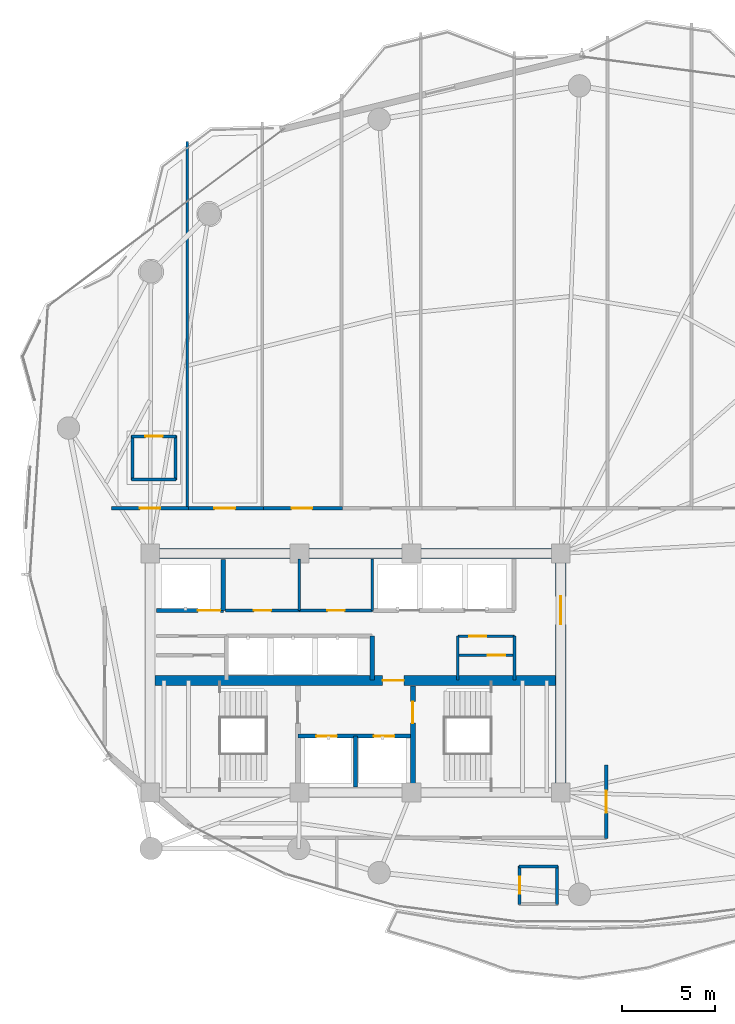
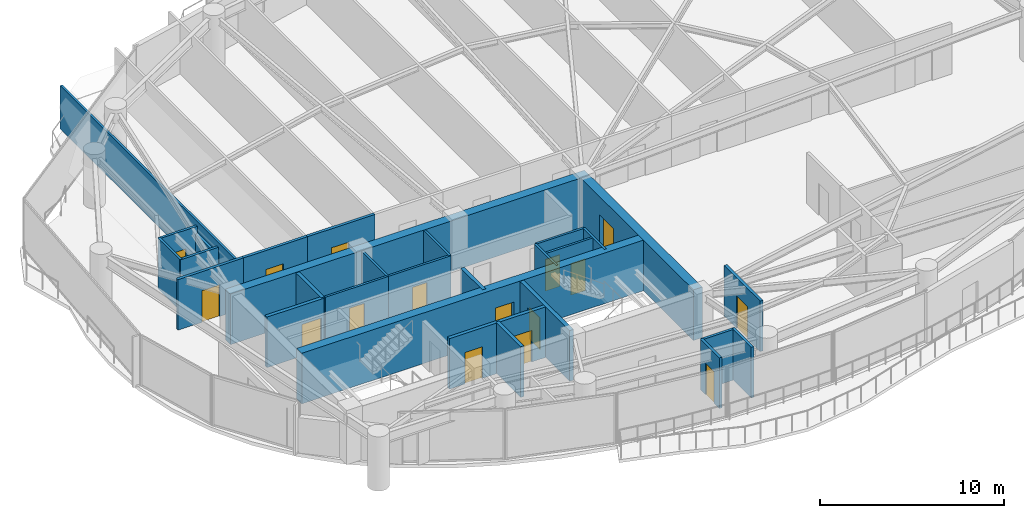
# One storey, part 25 of 30: 29 walls, 16 doors, 16 openings.
"""IFC4 building model written with IfcOpenShell, lengths in metres."""

from ifc_helpers import new_model, si_unit, direction, frame, frame_2d, origin, place, context, subcontext, project, spatial, rectangle, extrude, material, layer, layer_set, type_object, element, fill, save


model = new_model("IFC4")

# Units and contexts
model_context = context("Model", 3, precision=1e-05, world=origin(), true_north=direction((0.0, 1.0)))
body_context = subcontext(model_context, "Body", "Model", "MODEL_VIEW")
ifc_project = project(units=[si_unit("LENGTHUNIT", "METRE"), si_unit("AREAUNIT", "SQUARE_METRE"), si_unit("VOLUMEUNIT", "CUBIC_METRE"), si_unit("PLANEANGLEUNIT", "RADIAN"), si_unit("MASSUNIT", "GRAM", prefix="KILO")], contexts=[model_context])

# Site, building, storey
site_placement = place(None, origin())
site = spatial("IfcSite", under=ifc_project, at=site_placement, CompositionType="ELEMENT")
building_placement = place(site_placement, origin())
building = spatial("IfcBuilding", under=site, at=building_placement, Name="Kazevale Care Tower and Concert Hall", CompositionType="ELEMENT")
storey_placement = place(building_placement, frame((0.0, 0.0, 113.39990234375)))
storey = spatial("IfcBuildingStorey", under=building, at=storey_placement, Name="L29", CompositionType="ELEMENT", Elevation=113.39990234375)

# Wall, opening, door
ifc_material_1 = material(Name="Acoustic Gypsum on Steel Stud", Category="steel")
ifc_layer_1 = layer(ifc_material_1, 0.139892578125)
ifc_layer_set_1 = layer_set([ifc_layer_1], Name="Acoustic Gypsum on Steel Stud")
wall_type_1 = type_object("IfcWallType", Name="Acoustic Care & Suite Partition 140", PredefinedType="PARTITIONING", material=ifc_layer_set_1)
wall_1_placement = place(storey_placement, frame((26.050048828125, 33.35009765625, 0.0), z_axis=(0.0, 0.0, 1.0), x_axis=(1.0, 0.0, 0.0)))
wall_1 = element("IfcWall", 1, at=wall_1_placement, inside=storey, type_object=wall_type_1, Name="wall:L29:c_rpl1_s", PredefinedType="PARTITIONING", context=body_context, shape_type="SweptSolid", body=[
    extrude(rectangle(XDim=3.949951171875, YDim=0.139892578125, at=frame_2d((1.97509765625, 0.0))), origin(), (0.0, 0.0, 1.0), 3.360107421875),
])
opening_1_placement = place(wall_1_placement, frame((1.514892578125, 0.0, 0.0)))
opening_1 = element("IfcOpeningElement", 2, at=opening_1_placement, cuts=wall_1, Name="Opening ID-900", PredefinedType="OPENING", context=body_context, shape_type="SweptSolid", body=[
    extrude(rectangle(XDim=0.919921875, YDim=2.10009765625, at=frame_2d((0.4599609375, 1.050048828125))), frame((0.0, 0.079833984375, 0.0), z_axis=(0.0, -1.0, 0.0), x_axis=(1.0, 0.0, 0.0)), (0.0, 0.0, 1.0), 0.159912109375),
])
ifc_material_2 = material(Name="Oak Timber Fire Leaf", Category="wood")
door_type_1 = type_object("IfcDoorType", Name="Bathroom & Service Door 920x2100", OperationType="NOTDEFINED", PredefinedType="DOOR", material=ifc_material_2)
door_1_placement = place(opening_1_placement, origin())
door_1 = element("IfcDoor", 3, at=door_1_placement, inside=storey, type_object=door_type_1, Name="door:L29:d_rpl1", OperationType="SINGLE_SWING_LEFT", OverallHeight=2.10009765625, OverallWidth=0.919921875, PredefinedType="DOOR", context=body_context, shape_type="SweptSolid", body=[
    extrude(rectangle(XDim=0.919921875, YDim=2.10009765625, at=frame_2d((0.4599609375, 1.050048828125))), frame((0.0, 0.02490234375, 0.0), z_axis=(0.0, -1.0, 0.0), x_axis=(1.0, 0.0, 0.0)), (0.0, 0.0, 1.0), 0.050048828125),
])
fill(opening_1, door_1)

wall_2_placement = place(storey_placement, frame((30.0, 33.35009765625, 0.0), z_axis=(0.0, 0.0, 1.0), x_axis=(1.0, 0.0, 0.0)))
wall_2 = element("IfcWall", 4, at=wall_2_placement, inside=storey, type_object=wall_type_1, Name="wall:L29:c_rpl2_s", PredefinedType="PARTITIONING", context=body_context, shape_type="SweptSolid", body=[
    extrude(rectangle(XDim=3.919921875, YDim=0.139892578125, at=frame_2d((1.9599609375, 0.0))), origin(), (0.0, 0.0, 1.0), 3.360107421875),
])
opening_2_placement = place(wall_2_placement, frame((1.5, 0.0, 0.0)))
opening_2 = element("IfcOpeningElement", 5, at=opening_2_placement, cuts=wall_2, Name="Opening ID-900", PredefinedType="OPENING", context=body_context, shape_type="SweptSolid", body=[
    extrude(rectangle(XDim=0.919921875, YDim=2.10009765625, at=frame_2d((0.4599609375, 1.050048828125))), frame((0.0, 0.079833984375, 0.0), z_axis=(0.0, -1.0, 0.0), x_axis=(1.0, 0.0, 0.0)), (0.0, 0.0, 1.0), 0.159912109375),
])
door_2_placement = place(opening_2_placement, origin())
door_2 = element("IfcDoor", 6, at=door_2_placement, inside=storey, type_object=door_type_1, Name="door:L29:d_rpl2", OperationType="SINGLE_SWING_RIGHT", OverallHeight=2.10009765625, OverallWidth=0.919921875, PredefinedType="DOOR", context=body_context, shape_type="SweptSolid", body=[
    extrude(rectangle(XDim=0.919921875, YDim=2.10009765625, at=frame_2d((0.4599609375, 1.050048828125))), frame((0.0, 0.02490234375, 0.0), z_axis=(0.0, -1.0, 0.0), x_axis=(1.0, 0.0, 0.0)), (0.0, 0.0, 1.0), 0.050048828125),
])
fill(opening_2, door_2)

# Walls
for number, where, z_axis, x_axis, name in (
    (7, (30.0, 33.35009765625, 0.0), (0.0, 0.0, 1.0), (0.0, 1.0, 0.0), "wall:L29:c_rpl_m"),
    (8, (33.89990234375, 33.35009765625, 0.0), (0.0, 0.0, 1.0), (0.0, 1.0, 0.0), "wall:L29:c_rpl_e"),
):
    element("IfcWall", number, at=place(storey_placement, frame(where, z_axis=z_axis, x_axis=x_axis)), inside=storey, type_object=wall_type_1, Name=name, PredefinedType="PARTITIONING", context=body_context, shape_type="SweptSolid", body=[
        extrude(rectangle(XDim=2.75, YDim=0.139892578125, at=frame_2d((1.375, 0.0))), origin(), (0.0, 0.0, 1.0), 3.360107421875),
    ])
for number, where, z_axis, x_axis, name in (
    (9, (38.47998046875, 29.6201171875, 0.0), (0.0, 0.0, 1.0), (0.0, 1.0, 0.0), "wall:L29:kc_ew"),
    (10, (41.52001953125, 29.6201171875, 0.0), (0.0, 0.0, 1.0), (0.0, 1.0, 0.0), "wall:L29:kc_ee"),
):
    element("IfcWall", number, at=place(storey_placement, frame(where, z_axis=z_axis, x_axis=x_axis)), inside=storey, type_object=wall_type_1, Name=name, PredefinedType="PARTITIONING", context=body_context, shape_type="SweptSolid", body=[
        extrude(rectangle(XDim=2.35986328125, YDim=0.139892578125, at=frame_2d((1.179931640625, 0.0))), origin(), (0.0, 0.0, 1.0), 3.360107421875),
    ])

# Wall, opening, door
wall_3_placement = place(storey_placement, frame((38.47998046875, 30.949951171875, 0.0), z_axis=(0.0, 0.0, 1.0), x_axis=(1.0, 0.0, 0.0)))
wall_3 = element("IfcWall", 11, at=wall_3_placement, inside=storey, type_object=wall_type_1, Name="wall:L29:kc_em", PredefinedType="PARTITIONING", context=body_context, shape_type="SweptSolid", body=[
    extrude(rectangle(XDim=3.0400390625, YDim=0.139892578125, at=frame_2d((1.52001953125, 0.0))), origin(), (0.0, 0.0, 1.0), 3.360107421875),
])
opening_3_placement = place(wall_3_placement, frame((1.616943359375, 0.0, 0.0)))
opening_3 = element("IfcOpeningElement", 12, at=opening_3_placement, cuts=wall_3, Name="Opening ID-900", PredefinedType="OPENING", context=body_context, shape_type="SweptSolid", body=[
    extrude(rectangle(XDim=0.919921875, YDim=2.10009765625, at=frame_2d((0.4599609375, 1.050048828125))), frame((0.0, 0.079833984375, 0.0), z_axis=(0.0, -1.0, 0.0), x_axis=(1.0, 0.0, 0.0)), (0.0, 0.0, 1.0), 0.159912109375),
])
door_3_placement = place(opening_3_placement, origin())
door_3 = element("IfcDoor", 13, at=door_3_placement, inside=storey, type_object=door_type_1, Name="door:L29:d_kceb", OperationType="SINGLE_SWING_RIGHT", OverallHeight=2.10009765625, OverallWidth=0.919921875, PredefinedType="DOOR", context=body_context, shape_type="SweptSolid", body=[
    extrude(rectangle(XDim=0.919921875, YDim=2.10009765625, at=frame_2d((0.4599609375, 1.050048828125))), frame((0.0, 0.02490234375, 0.0), z_axis=(0.0, -1.0, 0.0), x_axis=(1.0, 0.0, 0.0)), (0.0, 0.0, 1.0), 0.050048828125),
])
fill(opening_3, door_3)

wall_4_placement = place(storey_placement, frame((38.47998046875, 31.97998046875, 0.0), z_axis=(0.0, 0.0, 1.0), x_axis=(1.0, 0.0, 0.0)))
wall_4 = element("IfcWall", 14, at=wall_4_placement, inside=storey, type_object=wall_type_1, Name="wall:L29:kc_en", PredefinedType="PARTITIONING", context=body_context, shape_type="SweptSolid", body=[
    extrude(rectangle(XDim=3.0400390625, YDim=0.139892578125, at=frame_2d((1.52001953125, 0.0))), origin(), (0.0, 0.0, 1.0), 3.360107421875),
])
opening_4_placement = place(wall_4_placement, frame((0.614013671875, 0.0, 0.0)))
opening_4 = element("IfcOpeningElement", 15, at=opening_4_placement, cuts=wall_4, Name="Opening ID-900", PredefinedType="OPENING", context=body_context, shape_type="SweptSolid", body=[
    extrude(rectangle(XDim=0.919921875, YDim=2.10009765625, at=frame_2d((0.4599609375, 1.050048828125))), frame((0.0, 0.079833984375, 0.0), z_axis=(0.0, -1.0, 0.0), x_axis=(1.0, 0.0, 0.0)), (0.0, 0.0, 1.0), 0.159912109375),
])
door_4_placement = place(opening_4_placement, origin())
door_4 = element("IfcDoor", 16, at=door_4_placement, inside=storey, type_object=door_type_1, Name="door:L29:d_kcet", OperationType="SINGLE_SWING_LEFT", OverallHeight=2.10009765625, OverallWidth=0.919921875, PredefinedType="DOOR", context=body_context, shape_type="SweptSolid", body=[
    extrude(rectangle(XDim=0.919921875, YDim=2.10009765625, at=frame_2d((0.4599609375, 1.050048828125))), frame((0.0, 0.02490234375, 0.0), z_axis=(0.0, -1.0, 0.0), x_axis=(1.0, 0.0, 0.0)), (0.0, 0.0, 1.0), 0.050048828125),
])
fill(opening_4, door_4)

# Walls
wall_5_placement = place(storey_placement, frame((24.0, 58.4599609375, 0.0), z_axis=(0.0, 0.0, 1.0), x_axis=(0.0, -1.0, 0.0)))
element("IfcWall", 17, at=wall_5_placement, inside=storey, type_object=wall_type_1, Name="wall:L29:auto_020", PredefinedType="PARTITIONING", context=body_context, shape_type="SweptSolid", body=[
    extrude(rectangle(XDim=19.6650390625, YDim=0.139892578125, at=frame_2d((9.83251953125, 0.0))), origin(), (0.0, 0.0, 1.0), 2.89013671875),
])
ifc_material_3 = material(Name="Concrete C60", Category="concrete")
ifc_layer_2 = layer(ifc_material_3, 0.550048828125)
ifc_layer_set_2 = layer_set([ifc_layer_2], Name="Concrete C60")
wall_type_2 = type_object("IfcWallType", Name="Core Shear Wall 550 C60", PredefinedType="SHEAR", material=ifc_layer_set_2)
wall_6_placement = place(storey_placement, frame((21.72509765625, 36.39990234375, 0.0), z_axis=(0.0, 0.0, 1.0), x_axis=(1.0, 0.0, 0.0)))
element("IfcWall", 18, at=wall_6_placement, inside=storey, type_object=wall_type_2, Name="wall:L29:core:N", PredefinedType="SHEAR", context=body_context, shape_type="SweptSolid", body=[
    extrude(rectangle(XDim=22.5498046875, YDim=0.550048828125, at=frame_2d((11.27490234375, 0.0))), origin(), (0.0, 0.0, 1.0), 3.360107421875),
])

# Wall, opening, door
wall_7_placement = place(storey_placement, frame((44.0, 23.875, 0.0), z_axis=(0.0, 0.0, 1.0), x_axis=(0.0, 1.0, 0.0)))
wall_7 = element("IfcWall", 19, at=wall_7_placement, inside=storey, type_object=wall_type_2, Name="wall:L29:core:E", PredefinedType="SHEAR", context=body_context, shape_type="SweptSolid", body=[
    extrude(rectangle(XDim=12.25, YDim=0.550048828125, at=frame_2d((6.125, 0.0))), origin(), (0.0, 0.0, 1.0), 3.360107421875),
])
opening_5_placement = place(wall_7_placement, frame((8.72509765625, 0.0, 0.0)))
opening_5 = element("IfcOpeningElement", 20, at=opening_5_placement, cuts=wall_7, Name="Opening FD-60D", PredefinedType="OPENING", context=body_context, shape_type="SweptSolid", body=[
    extrude(rectangle(XDim=1.5, YDim=2.14990234375, at=frame_2d((0.75, 1.074951171875))), frame((0.0, 0.284912109375, 0.0), z_axis=(0.0, -1.0, 0.0), x_axis=(1.0, 0.0, 0.0)), (0.0, 0.0, 1.0), 0.570068359375),
])
door_type_2 = type_object("IfcDoorType", Name="Double Lobby & Auditorium Fire Door 1500x2150", OperationType="NOTDEFINED", PredefinedType="DOOR", material=ifc_material_2)
door_5_placement = place(opening_5_placement, origin())
door_5 = element("IfcDoor", 21, at=door_5_placement, inside=storey, type_object=door_type_2, Name="door:L29:core_east_out", OperationType="DOUBLE_DOOR_SINGLE_SWING", OverallHeight=2.14990234375, OverallWidth=1.5, PredefinedType="DOOR", context=body_context, shape_type="SweptSolid", body=[
    extrude(rectangle(XDim=1.5, YDim=2.14990234375, at=frame_2d((0.75, 1.074951171875))), frame((0.0, 0.02490234375, 0.0), z_axis=(0.0, -1.0, 0.0), x_axis=(1.0, 0.0, 0.0)), (0.0, 0.0, 1.0), 0.050048828125),
])
fill(opening_5, door_5)

wall_8_placement = place(storey_placement, frame((22.27490234375, 29.60009765625, 0.0), z_axis=(0.0, 0.0, 1.0), x_axis=(1.0, 0.0, 0.0)))
wall_8 = element("IfcWall", 22, at=wall_8_placement, inside=storey, type_object=wall_type_2, Name="wall:L29:core:M", PredefinedType="SHEAR", context=body_context, shape_type="SweptSolid", body=[
    extrude(rectangle(XDim=21.4501953125, YDim=0.550048828125, at=frame_2d((10.72509765625, 0.0))), origin(), (0.0, 0.0, 1.0), 3.360107421875),
])
opening_6_placement = place(wall_8_placement, frame((12.175048828125, 0.0, 0.0)))
opening_6 = element("IfcOpeningElement", 23, at=opening_6_placement, cuts=wall_8, Name="Opening FD-90", PredefinedType="OPENING", context=body_context, shape_type="SweptSolid", body=[
    extrude(rectangle(XDim=1.14990234375, YDim=2.10009765625, at=frame_2d((0.574951171875, 1.050048828125))), frame((0.0, 0.284912109375, 0.0), z_axis=(0.0, -1.0, 0.0), x_axis=(1.0, 0.0, 0.0)), (0.0, 0.0, 1.0), 0.570068359375),
])
ifc_material_4 = material(Name="Steel ASTM A572 Gr 50", Category="steel")
door_type_3 = type_object("IfcDoorType", Name="Pressurized Stair & Lobby Fire Door 1150x2100", OperationType="NOTDEFINED", PredefinedType="DOOR", material=ifc_material_4)
door_6_placement = place(opening_6_placement, origin())
door_6 = element("IfcDoor", 24, at=door_6_placement, inside=storey, type_object=door_type_3, Name="door:L29:ff_to_pax", OperationType="SINGLE_SWING_LEFT", OverallHeight=2.10009765625, OverallWidth=1.14990234375, PredefinedType="DOOR", context=body_context, shape_type="SweptSolid", body=[
    extrude(rectangle(XDim=1.14990234375, YDim=2.10009765625, at=frame_2d((0.574951171875, 1.050048828125))), frame((0.0, 0.02490234375, 0.0), z_axis=(0.0, -1.0, 0.0), x_axis=(1.0, 0.0, 0.0)), (0.0, 0.0, 1.0), 0.050048828125),
])
fill(opening_6, door_6)

# Wall, openings, doors
ifc_material_5 = material(Name="Concrete C40", Category="concrete")
ifc_layer_3 = layer(ifc_material_5, 0.219970703125)
ifc_layer_set_3 = layer_set([ifc_layer_3], Name="Concrete C40")
wall_type_3 = type_object("IfcWallType", Name="Elevator Hoistway Shaft Wall 220", PredefinedType="SOLIDWALL", material=ifc_layer_set_3)
wall_9_placement = place(storey_placement, frame((29.919921875, 26.6201171875, 0.0), z_axis=(0.0, 0.0, 1.0), x_axis=(1.0, 0.0, 0.0)))
wall_9 = element("IfcWall", 25, at=wall_9_placement, inside=storey, type_object=wall_type_3, Name="wall:L29:c_ffl_n", PredefinedType="SOLIDWALL", context=body_context, shape_type="SweptSolid", body=[
    extrude(rectangle(XDim=6.16015625, YDim=0.219970703125, at=frame_2d((3.080078125, 0.0))), origin(), (0.0, 0.0, 1.0), 3.360107421875),
])
opening_7_placement = place(wall_9_placement, frame((0.989990234375, 0.0, 0.0)))
opening_7 = element("IfcOpeningElement", 26, at=opening_7_placement, cuts=wall_9, Name="Opening LD-FF", PredefinedType="OPENING", context=body_context, shape_type="SweptSolid", body=[
    extrude(rectangle(XDim=1.10009765625, YDim=2.10009765625, at=frame_2d((0.550048828125, 1.050048828125))), frame((0.0, 0.119873046875, 0.0), z_axis=(0.0, -1.0, 0.0), x_axis=(1.0, 0.0, 0.0)), (0.0, 0.0, 1.0), 0.239990234375),
])
opening_8_placement = place(wall_9_placement, frame((4.070068359375, 0.0, 0.0)))
opening_8 = element("IfcOpeningElement", 27, at=opening_8_placement, cuts=wall_9, Name="Opening LD-FF", PredefinedType="OPENING", context=body_context, shape_type="SweptSolid", body=[
    extrude(rectangle(XDim=1.10009765625, YDim=2.10009765625, at=frame_2d((0.550048828125, 1.050048828125))), frame((0.0, 0.119873046875, 0.0), z_axis=(0.0, -1.0, 0.0), x_axis=(1.0, 0.0, 0.0)), (0.0, 0.0, 1.0), 0.239990234375),
])
ifc_material_6 = material(Name="Stainless Steel 316", Category="steel")
door_type_4 = type_object("IfcDoorType", Name="Emergency Lift Sliding Landing Door 1100x2100", OperationType="NOTDEFINED", PredefinedType="DOOR", material=ifc_material_6)
door_7_placement = place(opening_7_placement, origin())
door_7 = element("IfcDoor", 28, at=door_7_placement, inside=storey, type_object=door_type_4, Name="door:L29:ld_ffl1", OperationType="SLIDING_TO_LEFT", OverallHeight=2.10009765625, OverallWidth=1.10009765625, PredefinedType="DOOR", context=body_context, shape_type="SweptSolid", body=[
    extrude(rectangle(XDim=1.10009765625, YDim=2.10009765625, at=frame_2d((0.550048828125, 1.050048828125))), frame((0.0, 0.02490234375, 0.0), z_axis=(0.0, -1.0, 0.0), x_axis=(1.0, 0.0, 0.0)), (0.0, 0.0, 1.0), 0.050048828125),
])
fill(opening_7, door_7)
door_8_placement = place(opening_8_placement, origin())
door_8 = element("IfcDoor", 29, at=door_8_placement, inside=storey, type_object=door_type_4, Name="door:L29:ld_ffl2", OperationType="SLIDING_TO_RIGHT", OverallHeight=2.10009765625, OverallWidth=1.10009765625, PredefinedType="DOOR", context=body_context, shape_type="SweptSolid", body=[
    extrude(rectangle(XDim=1.10009765625, YDim=2.10009765625, at=frame_2d((0.550048828125, 1.050048828125))), frame((0.0, 0.02490234375, 0.0), z_axis=(0.0, -1.0, 0.0), x_axis=(1.0, 0.0, 0.0)), (0.0, 0.0, 1.0), 0.050048828125),
])
fill(opening_8, door_8)

# Walls
wall_10_placement = place(storey_placement, frame((33.0, 23.89990234375, 0.0), z_axis=(0.0, 0.0, 1.0), x_axis=(0.0, 1.0, 0.0)))
element("IfcWall", 30, at=wall_10_placement, inside=storey, type_object=wall_type_3, Name="wall:L29:c_ffl_m", PredefinedType="SOLIDWALL", context=body_context, shape_type="SweptSolid", body=[
    extrude(rectangle(XDim=2.72021484375, YDim=0.219970703125, at=frame_2d((1.360107421875, 0.0))), origin(), (0.0, 0.0, 1.0), 3.360107421875),
])
wall_11_placement = place(storey_placement, frame((25.919921875, 33.35009765625, 0.0), z_axis=(0.0, 0.0, 1.0), x_axis=(0.0, 1.0, 0.0)))
element("IfcWall", 31, at=wall_11_placement, inside=storey, type_object=wall_type_3, Name="wall:L29:c_svl_e", PredefinedType="SOLIDWALL", context=body_context, shape_type="SweptSolid", body=[
    extrude(rectangle(XDim=2.72998046875, YDim=0.219970703125, at=frame_2d((1.364990234375, 0.0))), origin(), (0.0, 0.0, 1.0), 3.360107421875),
])

# Wall, opening, door
wall_12_placement = place(storey_placement, frame((22.35009765625, 33.35009765625, 0.0), z_axis=(0.0, 0.0, 1.0), x_axis=(1.0, 0.0, 0.0)))
wall_12 = element("IfcWall", 32, at=wall_12_placement, inside=storey, type_object=wall_type_3, Name="wall:L29:c_svl_s", PredefinedType="SOLIDWALL", context=body_context, shape_type="SweptSolid", body=[
    extrude(rectangle(XDim=3.56982421875, YDim=0.219970703125, at=frame_2d((1.784912109375, 0.0))), origin(), (0.0, 0.0, 1.0), 3.360107421875),
])
opening_9_placement = place(wall_12_placement, frame((2.212890625, 0.0, 0.0)))
opening_9 = element("IfcOpeningElement", 33, at=opening_9_placement, cuts=wall_12, Name="Opening LD-SV", PredefinedType="OPENING", context=body_context, shape_type="SweptSolid", body=[
    extrude(rectangle(XDim=1.199951171875, YDim=2.10009765625, at=frame_2d((0.60009765625, 1.050048828125))), frame((0.0, 0.119873046875, 0.0), z_axis=(0.0, -1.0, 0.0), x_axis=(1.0, 0.0, 0.0)), (0.0, 0.0, 1.0), 0.239990234375),
])
door_type_5 = type_object("IfcDoorType", Name="Service Lift Sliding Landing Door 1200x2100", OperationType="NOTDEFINED", PredefinedType="DOOR", material=ifc_material_6)
door_9_placement = place(opening_9_placement, origin())
door_9 = element("IfcDoor", 34, at=door_9_placement, inside=storey, type_object=door_type_5, Name="door:L29:ld_svl1", OperationType="SLIDING_TO_LEFT", OverallHeight=2.10009765625, OverallWidth=1.199951171875, PredefinedType="DOOR", context=body_context, shape_type="SweptSolid", body=[
    extrude(rectangle(XDim=1.199951171875, YDim=2.10009765625, at=frame_2d((0.60009765625, 1.050048828125))), frame((0.0, 0.02490234375, 0.0), z_axis=(0.0, -1.0, 0.0), x_axis=(1.0, 0.0, 0.0)), (0.0, 0.0, 1.0), 0.050048828125),
])
fill(opening_9, door_9)

# Wall
wall_13_placement = place(storey_placement, frame((33.89990234375, 29.6201171875, 0.0), z_axis=(0.0, 0.0, 1.0), x_axis=(0.0, 1.0, 0.0)))
element("IfcWall", 35, at=wall_13_placement, inside=storey, type_object=wall_type_3, Name="wall:L29:c_ph_e", PredefinedType="SOLIDWALL", context=body_context, shape_type="SweptSolid", body=[
    extrude(rectangle(XDim=2.35986328125, YDim=0.219970703125, at=frame_2d((1.179931640625, 0.0))), origin(), (0.0, 0.0, 1.0), 3.360107421875),
])

# Wall, opening, door
ifc_material_7 = material(Name="Concrete C40 and Acoustic Gypsum", Category="concrete")
ifc_layer_4 = layer(ifc_material_7, 0.179931640625)
ifc_layer_set_4 = layer_set([ifc_layer_4], Name="Concrete C40 and Acoustic Gypsum")
wall_type_4 = type_object("IfcWallType", Name="Fire-Rated Corridor & Party Wall 180", PredefinedType="PARTITIONING", material=ifc_layer_set_4)
wall_14_placement = place(storey_placement, frame((19.93505859375, 38.824951171875, 0.0), z_axis=(0.0, 0.0, 1.0), x_axis=(1.0, 0.0, 0.0)))
wall_14 = element("IfcWall", 36, at=wall_14_placement, inside=storey, type_object=wall_type_4, Name="wall:L29:auto_001", PredefinedType="PARTITIONING", context=body_context, shape_type="SweptSolid", body=[
    extrude(rectangle(XDim=4.1298828125, YDim=0.179931640625, at=frame_2d((2.06494140625, 0.0))), origin(), (0.0, 0.0, 1.0), 3.360107421875),
])
opening_10_placement = place(wall_14_placement, frame((1.514892578125, 0.0, 0.0)))
opening_10 = element("IfcOpeningElement", 37, at=opening_10_placement, cuts=wall_14, Name="Opening ID-1100", PredefinedType="OPENING", context=body_context, shape_type="SweptSolid", body=[
    extrude(rectangle(XDim=1.10009765625, YDim=2.10009765625, at=frame_2d((0.550048828125, 1.050048828125))), frame((0.0, 0.099853515625, 0.0), z_axis=(0.0, -1.0, 0.0), x_axis=(1.0, 0.0, 0.0)), (0.0, 0.0, 1.0), 0.199951171875),
])
door_type_6 = type_object("IfcDoorType", Name="Care Bedroom Accessible Door 1100x2100", OperationType="NOTDEFINED", PredefinedType="DOOR", material=ifc_material_2)
door_10_placement = place(opening_10_placement, origin())
door_10 = element("IfcDoor", 38, at=door_10_placement, inside=storey, type_object=door_type_6, Name="door:L29:ad_001", OperationType="SINGLE_SWING_LEFT", OverallHeight=2.10009765625, OverallWidth=1.10009765625, PredefinedType="DOOR", context=body_context, shape_type="SweptSolid", body=[
    extrude(rectangle(XDim=1.10009765625, YDim=2.10009765625, at=frame_2d((0.550048828125, 1.050048828125))), frame((0.0, 0.02490234375, 0.0), z_axis=(0.0, -1.0, 0.0), x_axis=(1.0, 0.0, 0.0)), (0.0, 0.0, 1.0), 0.050048828125),
])
fill(opening_10, door_10)

wall_15_placement = place(storey_placement, frame((23.93505859375, 38.824951171875, 0.0), z_axis=(0.0, 0.0, 1.0), x_axis=(1.0, 0.0, 0.0)))
wall_15 = element("IfcWall", 39, at=wall_15_placement, inside=storey, type_object=wall_type_4, Name="wall:L29:auto_002", PredefinedType="PARTITIONING", context=body_context, shape_type="SweptSolid", body=[
    extrude(rectangle(XDim=4.1298828125, YDim=0.179931640625, at=frame_2d((2.06494140625, 0.0))), origin(), (0.0, 0.0, 1.0), 3.360107421875),
])
opening_11_placement = place(wall_15_placement, frame((1.514892578125, 0.0, 0.0)))
opening_11 = element("IfcOpeningElement", 40, at=opening_11_placement, cuts=wall_15, Name="Opening ID-1100", PredefinedType="OPENING", context=body_context, shape_type="SweptSolid", body=[
    extrude(rectangle(XDim=1.10009765625, YDim=2.10009765625, at=frame_2d((0.550048828125, 1.050048828125))), frame((0.0, 0.099853515625, 0.0), z_axis=(0.0, -1.0, 0.0), x_axis=(1.0, 0.0, 0.0)), (0.0, 0.0, 1.0), 0.199951171875),
])
door_11_placement = place(opening_11_placement, origin())
door_11 = element("IfcDoor", 41, at=door_11_placement, inside=storey, type_object=door_type_6, Name="door:L29:ad_002", OperationType="SINGLE_SWING_LEFT", OverallHeight=2.10009765625, OverallWidth=1.10009765625, PredefinedType="DOOR", context=body_context, shape_type="SweptSolid", body=[
    extrude(rectangle(XDim=1.10009765625, YDim=2.10009765625, at=frame_2d((0.550048828125, 1.050048828125))), frame((0.0, 0.02490234375, 0.0), z_axis=(0.0, -1.0, 0.0), x_axis=(1.0, 0.0, 0.0)), (0.0, 0.0, 1.0), 0.050048828125),
])
fill(opening_11, door_11)

wall_16_placement = place(storey_placement, frame((27.93505859375, 38.824951171875, 0.0), z_axis=(0.0, 0.0, 1.0), x_axis=(1.0, 0.0, 0.0)))
wall_16 = element("IfcWall", 42, at=wall_16_placement, inside=storey, type_object=wall_type_4, Name="wall:L29:auto_003", PredefinedType="PARTITIONING", context=body_context, shape_type="SweptSolid", body=[
    extrude(rectangle(XDim=4.3798828125, YDim=0.179931640625, at=frame_2d((2.18994140625, 0.0))), origin(), (0.0, 0.0, 1.0), 3.360107421875),
])
opening_12_placement = place(wall_16_placement, frame((1.639892578125, 0.0, 0.0)))
opening_12 = element("IfcOpeningElement", 43, at=opening_12_placement, cuts=wall_16, Name="Opening ID-1100", PredefinedType="OPENING", context=body_context, shape_type="SweptSolid", body=[
    extrude(rectangle(XDim=1.10009765625, YDim=2.10009765625, at=frame_2d((0.550048828125, 1.050048828125))), frame((0.0, 0.099853515625, 0.0), z_axis=(0.0, -1.0, 0.0), x_axis=(1.0, 0.0, 0.0)), (0.0, 0.0, 1.0), 0.199951171875),
])
door_12_placement = place(opening_12_placement, origin())
door_12 = element("IfcDoor", 44, at=door_12_placement, inside=storey, type_object=door_type_6, Name="door:L29:ad_003", OperationType="SINGLE_SWING_LEFT", OverallHeight=2.10009765625, OverallWidth=1.10009765625, PredefinedType="DOOR", context=body_context, shape_type="SweptSolid", body=[
    extrude(rectangle(XDim=1.10009765625, YDim=2.10009765625, at=frame_2d((0.550048828125, 1.050048828125))), frame((0.0, 0.02490234375, 0.0), z_axis=(0.0, -1.0, 0.0), x_axis=(1.0, 0.0, 0.0)), (0.0, 0.0, 1.0), 0.050048828125),
])
fill(opening_12, door_12)

wall_17_placement = place(storey_placement, frame((46.425048828125, 25.06494140625, 0.0), z_axis=(0.0, 0.0, 1.0), x_axis=(0.0, -1.0, 0.0)))
wall_17 = element("IfcWall", 45, at=wall_17_placement, inside=storey, type_object=wall_type_4, Name="wall:L29:auto_011", PredefinedType="PARTITIONING", context=body_context, shape_type="SweptSolid", body=[
    extrude(rectangle(XDim=3.919921875, YDim=0.179931640625, at=frame_2d((1.9599609375, 0.0))), origin(), (0.0, 0.0, 1.0), 3.360107421875),
])
opening_13_placement = place(wall_17_placement, frame((1.360107421875, 0.0, 0.0)))
opening_13 = element("IfcOpeningElement", 46, at=opening_13_placement, cuts=wall_17, Name="Opening ID-1200", PredefinedType="OPENING", context=body_context, shape_type="SweptSolid", body=[
    extrude(rectangle(XDim=1.199951171875, YDim=2.14990234375, at=frame_2d((0.60009765625, 1.074951171875))), frame((0.0, 0.099853515625, 0.0), z_axis=(0.0, -1.0, 0.0), x_axis=(1.0, 0.0, 0.0)), (0.0, 0.0, 1.0), 0.199951171875),
])
door_type_7 = type_object("IfcDoorType", Name="Clinical & Therapy Door 1200x2150", OperationType="NOTDEFINED", PredefinedType="DOOR", material=ifc_material_2)
door_13_placement = place(opening_13_placement, origin())
door_13 = element("IfcDoor", 47, at=door_13_placement, inside=storey, type_object=door_type_7, Name="door:L29:ad_011", OperationType="SINGLE_SWING_LEFT", OverallHeight=2.14990234375, OverallWidth=1.199951171875, PredefinedType="DOOR", context=body_context, shape_type="SweptSolid", body=[
    extrude(rectangle(XDim=1.199951171875, YDim=2.14990234375, at=frame_2d((0.60009765625, 1.074951171875))), frame((0.0, 0.02490234375, 0.0), z_axis=(0.0, -1.0, 0.0), x_axis=(1.0, 0.0, 0.0)), (0.0, 0.0, 1.0), 0.050048828125),
])
fill(opening_13, door_13)

# Wall
ifc_layer_5 = layer(ifc_material_1, 0.159912109375)
ifc_layer_set_5 = layer_set([ifc_layer_5], Name="Acoustic Gypsum on Steel Stud")
wall_type_5 = type_object("IfcWallType", Name="Moisture-Resistant Bathroom Plumbing Wall 160", PredefinedType="PLUMBINGWALL", material=ifc_layer_set_5)
wall_18_placement = place(storey_placement, frame((21.010009765625, 40.375, 0.0), z_axis=(0.0, 0.0, 1.0), x_axis=(1.0, 0.0, 0.0)))
element("IfcWall", 48, at=wall_18_placement, inside=storey, type_object=wall_type_5, Name="wall:L29:nb2a_ens_ws", PredefinedType="PLUMBINGWALL", context=body_context, shape_type="SweptSolid", body=[
    extrude(rectangle(XDim=2.3798828125, YDim=0.159912109375, at=frame_2d((1.18994140625, 0.0))), origin(), (0.0, 0.0, 1.0), 3.360107421875),
])

# Wall, opening, door
wall_19_placement = place(storey_placement, frame((21.010009765625, 42.675048828125, 0.0), z_axis=(0.0, 0.0, 1.0), x_axis=(1.0, 0.0, 0.0)))
wall_19 = element("IfcWall", 49, at=wall_19_placement, inside=storey, type_object=wall_type_5, Name="wall:L29:nb2a_ens_wn", PredefinedType="PLUMBINGWALL", context=body_context, shape_type="SweptSolid", body=[
    extrude(rectangle(XDim=2.3798828125, YDim=0.159912109375, at=frame_2d((1.18994140625, 0.0))), origin(), (0.0, 0.0, 1.0), 3.360107421875),
])
opening_14_placement = place(wall_19_placement, frame((0.739990234375, 0.0, 0.0)))
opening_14 = element("IfcOpeningElement", 50, at=opening_14_placement, cuts=wall_19, Name="Opening ID-900", PredefinedType="OPENING", context=body_context, shape_type="SweptSolid", body=[
    extrude(rectangle(XDim=0.919921875, YDim=2.10009765625, at=frame_2d((0.4599609375, 1.050048828125))), frame((0.0, 0.08984375, 0.0), z_axis=(0.0, -1.0, 0.0), x_axis=(1.0, 0.0, 0.0)), (0.0, 0.0, 1.0), 0.179931640625),
])
door_14_placement = place(opening_14_placement, origin())
door_14 = element("IfcDoor", 51, at=door_14_placement, inside=storey, type_object=door_type_1, Name="door:L29:nb2a_ens_d", OperationType="SINGLE_SWING_RIGHT", OverallHeight=2.10009765625, OverallWidth=0.919921875, PredefinedType="DOOR", context=body_context, shape_type="SweptSolid", body=[
    extrude(rectangle(XDim=0.919921875, YDim=2.10009765625, at=frame_2d((0.4599609375, 1.050048828125))), frame((0.0, 0.02490234375, 0.0), z_axis=(0.0, -1.0, 0.0), x_axis=(1.0, 0.0, 0.0)), (0.0, 0.0, 1.0), 0.050048828125),
])
fill(opening_14, door_14)

# Walls
wall_20_placement = place(storey_placement, frame((21.050048828125, 40.3349609375, 0.0), z_axis=(0.0, 0.0, 1.0), x_axis=(0.0, 1.0, 0.0)))
element("IfcWall", 52, at=wall_20_placement, inside=storey, type_object=wall_type_5, Name="wall:L29:nb2a_ens_ww", PredefinedType="PLUMBINGWALL", context=body_context, shape_type="SweptSolid", body=[
    extrude(rectangle(XDim=2.380126953125, YDim=0.159912109375, at=frame_2d((1.18994140625, 0.0))), origin(), (0.0, 0.0, 1.0), 3.360107421875),
])
wall_21_placement = place(storey_placement, frame((23.35009765625, 40.3349609375, 0.0), z_axis=(0.0, 0.0, 1.0), x_axis=(0.0, 1.0, 0.0)))
element("IfcWall", 53, at=wall_21_placement, inside=storey, type_object=wall_type_5, Name="wall:L29:nb2a_ens_we", PredefinedType="PLUMBINGWALL", context=body_context, shape_type="SweptSolid", body=[
    extrude(rectangle(XDim=2.380126953125, YDim=0.159912109375, at=frame_2d((1.18994140625, 0.0))), origin(), (0.0, 0.0, 1.0), 2.89013671875),
])
wall_22_placement = place(storey_placement, frame((41.760009765625, 19.6298828125, 0.0), z_axis=(0.0, 0.0, 1.0), x_axis=(1.0, 0.0, 0.0)))
element("IfcWall", 54, at=wall_22_placement, inside=storey, type_object=wall_type_5, Name="wall:L29:sb2_ens_wn", PredefinedType="PLUMBINGWALL", context=body_context, shape_type="SweptSolid", body=[
    extrude(rectangle(XDim=2.080078125, YDim=0.159912109375, at=frame_2d((1.0400390625, 0.0))), origin(), (0.0, 0.0, 1.0), 3.360107421875),
])

# Wall, opening, door
wall_23_placement = place(storey_placement, frame((41.800048828125, 17.590087890625, 0.0), z_axis=(0.0, 0.0, 1.0), x_axis=(0.0, 1.0, 0.0)))
wall_23 = element("IfcWall", 55, at=wall_23_placement, inside=storey, type_object=wall_type_5, Name="wall:L29:sb2_ens_ww", PredefinedType="PLUMBINGWALL", context=body_context, shape_type="SweptSolid", body=[
    extrude(rectangle(XDim=2.079833984375, YDim=0.159912109375, at=frame_2d((1.0400390625, 0.0))), origin(), (0.0, 0.0, 1.0), 3.360107421875),
])
opening_15_placement = place(wall_23_placement, frame((0.590087890625, 0.0, 0.0)))
opening_15 = element("IfcOpeningElement", 56, at=opening_15_placement, cuts=wall_23, Name="Opening ID-900", PredefinedType="OPENING", context=body_context, shape_type="SweptSolid", body=[
    extrude(rectangle(XDim=0.919921875, YDim=2.10009765625, at=frame_2d((0.4599609375, 1.050048828125))), frame((0.0, 0.08984375, 0.0), z_axis=(0.0, -1.0, 0.0), x_axis=(1.0, 0.0, 0.0)), (0.0, 0.0, 1.0), 0.179931640625),
])
door_15_placement = place(opening_15_placement, origin())
door_15 = element("IfcDoor", 57, at=door_15_placement, inside=storey, type_object=door_type_1, Name="door:L29:sb2_ens_d", OperationType="SINGLE_SWING_RIGHT", OverallHeight=2.10009765625, OverallWidth=0.919921875, PredefinedType="DOOR", context=body_context, shape_type="SweptSolid", body=[
    extrude(rectangle(XDim=0.919921875, YDim=2.10009765625, at=frame_2d((0.4599609375, 1.050048828125))), frame((0.0, 0.02490234375, 0.0), z_axis=(0.0, -1.0, 0.0), x_axis=(1.0, 0.0, 0.0)), (0.0, 0.0, 1.0), 0.050048828125),
])
fill(opening_15, door_15)

# Wall
wall_24_placement = place(storey_placement, frame((43.800048828125, 17.590087890625, 0.0), z_axis=(0.0, 0.0, 1.0), x_axis=(0.0, 1.0, 0.0)))
element("IfcWall", 58, at=wall_24_placement, inside=storey, type_object=wall_type_5, Name="wall:L29:sb2_ens_we", PredefinedType="PLUMBINGWALL", context=body_context, shape_type="SweptSolid", body=[
    extrude(rectangle(XDim=2.079833984375, YDim=0.159912109375, at=frame_2d((1.0400390625, 0.0))), origin(), (0.0, 0.0, 1.0), 3.360107421875),
])

# Wall, opening, door
ifc_layer_6 = layer(ifc_material_5, 0.25)
ifc_layer_set_6 = layer_set([ifc_layer_6], Name="Concrete C40")
wall_type_6 = type_object("IfcWallType", Name="Pressurized Stair Shaft Wall 250", PredefinedType="SOLIDWALL", material=ifc_layer_set_6)
wall_25_placement = place(storey_placement, frame((36.080078125, 23.89990234375, 0.0), z_axis=(0.0, 0.0, 1.0), x_axis=(0.0, 1.0, 0.0)))
wall_25 = element("IfcWall", 59, at=wall_25_placement, inside=storey, type_object=wall_type_6, Name="wall:L29:c_st2_w", PredefinedType="SOLIDWALL", context=body_context, shape_type="SweptSolid", body=[
    extrude(rectangle(XDim=5.400146484375, YDim=0.25, at=frame_2d((2.7001953125, 0.0))), origin(), (0.0, 0.0, 1.0), 3.360107421875),
])
opening_16_placement = place(wall_25_placement, frame((3.4208984375, 0.0, 0.0)))
opening_16 = element("IfcOpeningElement", 60, at=opening_16_placement, cuts=wall_25, Name="Opening FD-90", PredefinedType="OPENING", context=body_context, shape_type="SweptSolid", body=[
    extrude(rectangle(XDim=1.14990234375, YDim=2.10009765625, at=frame_2d((0.574951171875, 1.050048828125))), frame((0.0, 0.135009765625, 0.0), z_axis=(0.0, -1.0, 0.0), x_axis=(1.0, 0.0, 0.0)), (0.0, 0.0, 1.0), 0.27001953125),
])
door_16_placement = place(opening_16_placement, origin())
door_16 = element("IfcDoor", 61, at=door_16_placement, inside=storey, type_object=door_type_3, Name="door:L29:st2", OperationType="SINGLE_SWING_LEFT", OverallHeight=2.10009765625, OverallWidth=1.14990234375, PredefinedType="DOOR", context=body_context, shape_type="SweptSolid", body=[
    extrude(rectangle(XDim=1.14990234375, YDim=2.10009765625, at=frame_2d((0.574951171875, 1.050048828125))), frame((0.0, 0.02490234375, 0.0), z_axis=(0.0, -1.0, 0.0), x_axis=(1.0, 0.0, 0.0)), (0.0, 0.0, 1.0), 0.050048828125),
])
fill(opening_16, door_16)

save(model, "model.ifc")
